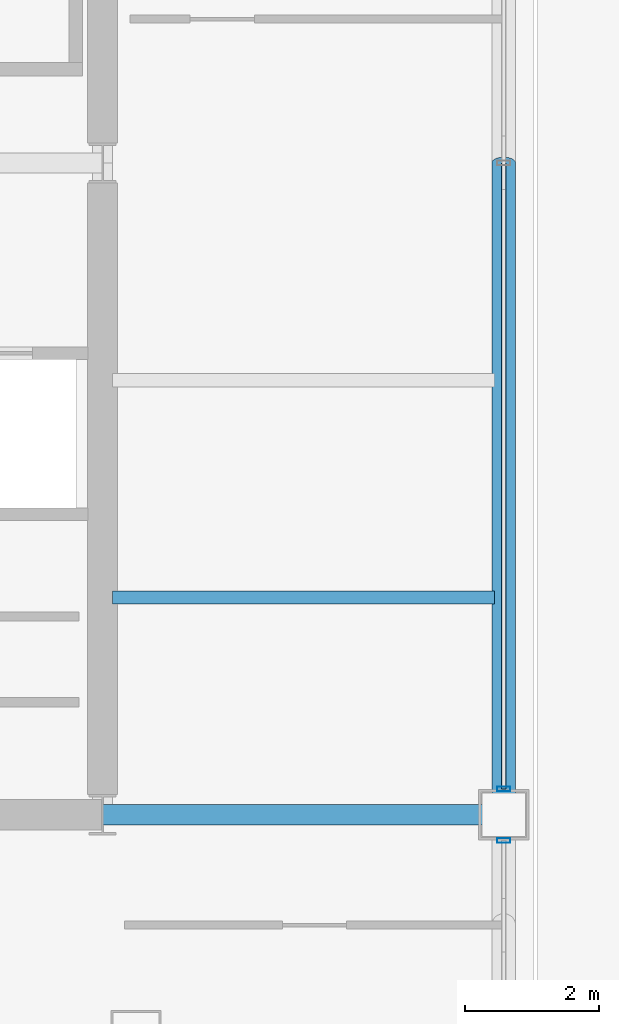
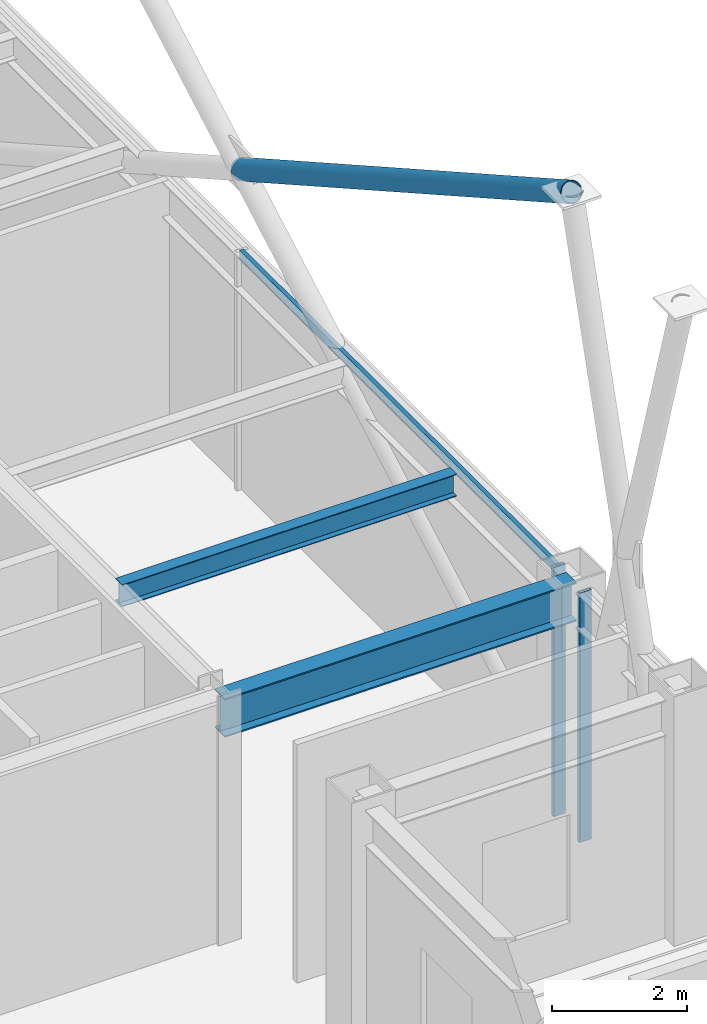
# One storey, part 12 of 24: 4 members, 2 beams, 2 elements without a shape of their own.
"""IFC4 building model written with IfcOpenShell, lengths in metres."""

from ifc_helpers import new_model, si_unit, direction, frame, origin, origin_2d, place, context, subcontext, project, spatial, hollow_rectangle, hollow_circle, i_section, extrude, material, layer, layer_set, material_profile, profile_set, type_object, element, aggregate, save


model = new_model("IFC4")

# Units and contexts
model_context = context("Model", 3, precision=1e-05, world=origin(), true_north=direction((0.0, 1.0)))
body_context = subcontext(model_context, "Body", "Model", "MODEL_VIEW")
ifc_project = project(units=[si_unit("LENGTHUNIT", "METRE"), si_unit("AREAUNIT", "SQUARE_METRE"), si_unit("VOLUMEUNIT", "CUBIC_METRE"), si_unit("PLANEANGLEUNIT", "RADIAN"), si_unit("MASSUNIT", "GRAM", prefix="KILO")], contexts=[model_context])

# Site, building, storey
site_placement = place(None, origin())
site = spatial("IfcSite", under=ifc_project, at=site_placement, CompositionType="ELEMENT")
building_placement = place(site_placement, origin())
building = spatial("IfcBuilding", under=site, at=building_placement, Name="Brelmoor Portico Tower", CompositionType="ELEMENT")
storey_placement = place(building_placement, frame((0.0, 0.0, 150.60009765625)))
storey = spatial("IfcBuildingStorey", under=building, at=storey_placement, Name="L39", CompositionType="ELEMENT", Elevation=150.60009765625)

# Beams
ifc_material_1 = material(Name="Steel Q355B", Category="steel")
ifc_material_profile_1 = material_profile(ifc_material_1, i_section(OverallWidth=0.199951171875, OverallDepth=0.39990234375, WebThickness=0.008056640625, FlangeThickness=0.012939453125, at=origin_2d()), Name="HN 400x200x8x13")
ifc_profile_set_1 = profile_set([ifc_material_profile_1], Name="Steel Q355B")
beam_type_1 = type_object("IfcBeamType", Name="BM-JS-400", PredefinedType="JOIST", material=ifc_profile_set_1)
beam_1_placement = place(storey_placement, frame((14.699951171875, -6.5, 4.099853515625), z_axis=(1.0, 0.0, 0.0), x_axis=(0.0, 1.0, 0.0)))
element("IfcBeam", 1, at=beam_1_placement, inside=storey, type_object=beam_type_1, Name="L39 Secondary Wing Joist JS-E07", PredefinedType="JOIST", context=body_context, shape_type="SweptSolid", body=[
    extrude(i_section(OverallWidth=0.199951171875, OverallDepth=0.39990234375, WebThickness=0.008056640625, FlangeThickness=0.012939453125, at=origin_2d()), origin(), (0.0, 0.0, 1.0), 5.7099609375),
])
ifc_material_profile_2 = material_profile(ifc_material_1, i_section(OverallWidth=0.300048828125, OverallDepth=0.699951171875, WebThickness=0.012939453125, FlangeThickness=0.02392578125, at=origin_2d()), Name="HN 700x300x13x24")
ifc_profile_set_2 = profile_set([ifc_material_profile_2], Name="Steel Q355B")
beam_type_2 = type_object("IfcBeamType", Name="BM-PG-700", PredefinedType="BEAM", material=ifc_profile_set_2)
beam_2_placement = place(storey_placement, frame((14.550048828125, -9.75, 3.949951171875), z_axis=(1.0, 0.0, 0.0), x_axis=(0.0, 1.0, 0.0)))
element("IfcBeam", 2, at=beam_2_placement, inside=storey, type_object=beam_type_2, Name="L39 Primary Floor Girder PG-14", PredefinedType="BEAM", context=body_context, shape_type="SweptSolid", body=[
    extrude(i_section(OverallWidth=0.300048828125, OverallDepth=0.699951171875, WebThickness=0.012939453125, FlangeThickness=0.02392578125, at=origin_2d()), origin(), (0.0, 0.0, 1.0), 6.0),
])

# Member
ifc_material_profile_3 = material_profile(ifc_material_1, hollow_circle(Radius=0.177978515625, WallThickness=0.01611328125, at=origin_2d()), Name="CHS 356x16")
ifc_profile_set_3 = profile_set([ifc_material_profile_3], Name="Steel Q355B")
member_type_1 = type_object("IfcMemberType", Name="MB-BELT-DIAG2", PredefinedType="BRACE", material=ifc_profile_set_3)
member_1_placement = place(storey_placement, frame((20.550048828125, 0.0, 5.75), z_axis=(0.0, -0.870978467743, 0.491321186932), x_axis=(1.0, 0.0, 0.0)))
element("IfcMember", 3, at=member_1_placement, inside=storey, type_object=member_type_1, Name="L39 Split Mega-X Brace 089B2", PredefinedType="BRACE", context=body_context, shape_type="SweptSolid", body=[
    extrude(hollow_circle(Radius=0.177978515625, WallThickness=0.01611328125, at=origin_2d()), origin(), (0.0, 0.0, 1.0), 11.1943359375),
])

# Curtain wall, member
ifc_material_2 = material(Name="Anodised Aluminium Alloy 6063-T6", Category="aluminium")
ifc_layer = layer(ifc_material_2, 0.179931640625)
ifc_layer_set = layer_set([ifc_layer], Name="Anodised Aluminium Alloy 6063-T6")
curtain_wall_type = type_object("IfcCurtainWallType", Name="CW-SKYLOBBY-XB", PredefinedType="NOTDEFINED", material=ifc_layer_set)
curtain_wall_1_placement = place(storey_placement, origin())
curtain_wall_1 = element("IfcCurtainWall", 4, at=curtain_wall_1_placement, inside=storey, type_object=curtain_wall_type, Name="L39 Curtain Wall CW-L39-04-1", PredefinedType="NOTDEFINED")
ifc_material_profile_4 = material_profile(ifc_material_2, hollow_rectangle(XDim=0.070068359375, YDim=0.199951171875, WallThickness=0.00439453125, at=origin_2d()), Name="ALU MULLION 70x200")
ifc_profile_set_4 = profile_set([ifc_material_profile_4], Name="Anodised Aluminium Alloy 6063-T6")
member_type_2 = type_object("IfcMemberType", Name="MB-CW-MULL-200", PredefinedType="MULLION", material=ifc_profile_set_4)
member_2_placement = place(storey_placement, frame((20.550048828125, -10.135009765625, -0.2001953125), z_axis=(0.0, 0.0, 1.0), x_axis=(0.0, 1.0, 0.0)))
member_2 = element("IfcMember", 5, at=member_2_placement, type_object=member_type_2, Name="CW-L39-04-1 Mullion 01", PredefinedType="MULLION", context=body_context, shape_type="SweptSolid", body=[
    extrude(hollow_rectangle(XDim=0.070068359375, YDim=0.199951171875, WallThickness=0.00439453125, at=origin_2d()), origin(), (0.0, 0.0, 1.0), 4.5),
])
aggregate(curtain_wall_1, [member_2])

# Curtain wall, members
curtain_wall_2_placement = place(storey_placement, origin())
curtain_wall_2 = element("IfcCurtainWall", 6, at=curtain_wall_2_placement, inside=storey, type_object=curtain_wall_type, Name="L39 Curtain Wall CW-L39-04-2", PredefinedType="NOTDEFINED")
member_3_placement = place(storey_placement, frame((20.550048828125, -9.364990234375, -0.2001953125), z_axis=(0.0, 0.0, 1.0), x_axis=(0.0, 1.0, 0.0)))
member_3 = element("IfcMember", 7, at=member_3_placement, type_object=member_type_2, Name="CW-L39-04-2 Mullion 00", PredefinedType="MULLION", context=body_context, shape_type="SweptSolid", body=[
    extrude(hollow_rectangle(XDim=0.070068359375, YDim=0.199951171875, WallThickness=0.00439453125, at=origin_2d()), origin(), (0.0, 0.0, 1.0), 4.5),
])
ifc_material_profile_5 = material_profile(ifc_material_2, hollow_rectangle(XDim=0.070068359375, YDim=0.159912109375, WallThickness=0.00390625, at=origin_2d()), Name="ALU TRANSOM 70x160")
ifc_profile_set_5 = profile_set([ifc_material_profile_5], Name="Anodised Aluminium Alloy 6063-T6")
member_type_3 = type_object("IfcMemberType", Name="MB-CW-TRAN-160", PredefinedType="USERDEFINED", material=ifc_profile_set_5)
member_4_placement = place(storey_placement, frame((20.550048828125, -9.364990234375, 4.219970703125), z_axis=(0.0, 1.0, 0.0), x_axis=(-1.0, 0.0, 0.0)))
member_4 = element("IfcMember", 8, at=member_4_placement, type_object=member_type_3, Name="CW-L39-04-2 Transom 1-00", ObjectType="TRANSOM", PredefinedType="USERDEFINED", context=body_context, shape_type="SweptSolid", body=[
    extrude(hollow_rectangle(XDim=0.070068359375, YDim=0.159912109375, WallThickness=0.00390625, at=origin_2d()), origin(), (0.0, 0.0, 1.0), 9.364990234375),
])
aggregate(curtain_wall_2, [member_3, member_4])

save(model, "model.ifc")
